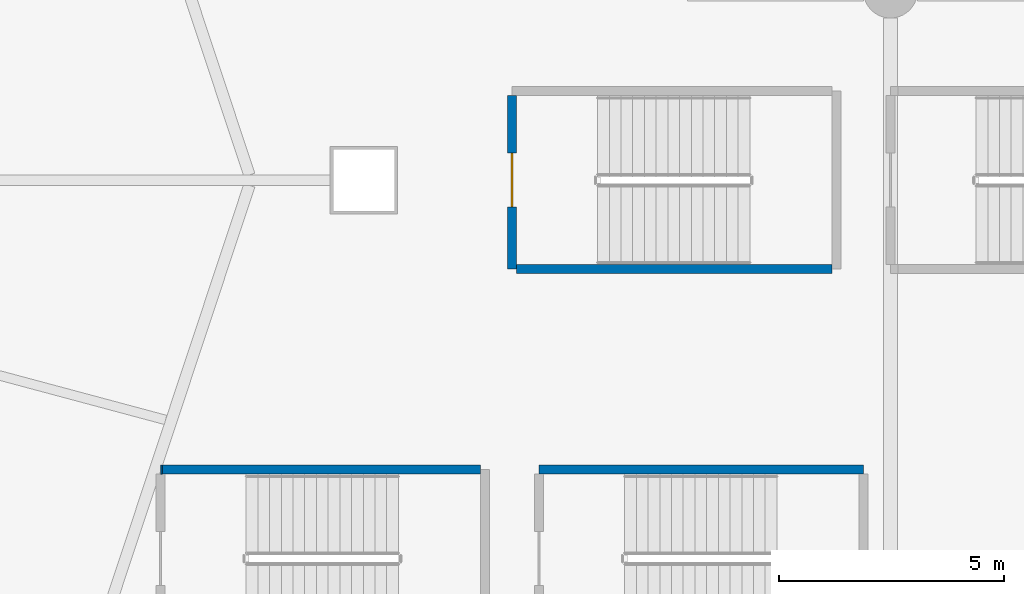
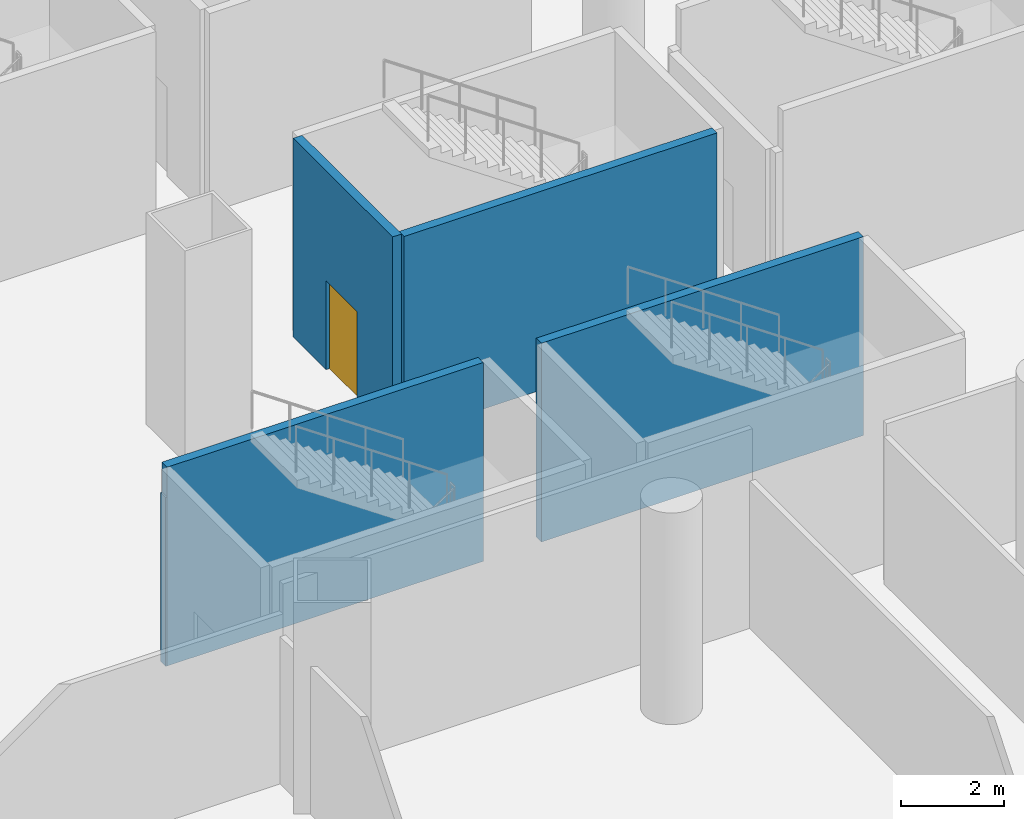
# One storey, part 36 of 51: 5 walls, 1 door, 1 opening.
"""IFC4 building model written with IfcOpenShell, lengths in metres."""

from ifc_helpers import new_model, si_unit, direction, frame, frame_2d, origin, place, context, subcontext, project, spatial, rectangle, extrude, material, layer, layer_set, type_object, element, fill, save


model = new_model("IFC4")

# Units and contexts
model_context = context("Model", 3, precision=1e-05, world=origin(), true_north=direction((0.0, 1.0)))
body_context = subcontext(model_context, "Body", "Model", "MODEL_VIEW")
ifc_project = project(units=[si_unit("LENGTHUNIT", "METRE"), si_unit("AREAUNIT", "SQUARE_METRE"), si_unit("VOLUMEUNIT", "CUBIC_METRE"), si_unit("PLANEANGLEUNIT", "RADIAN"), si_unit("MASSUNIT", "GRAM", prefix="KILO")], contexts=[model_context])

# Site, building, storey
site_placement = place(None, origin())
site = spatial("IfcSite", under=ifc_project, at=site_placement, CompositionType="ELEMENT")
building_placement = place(site_placement, origin())
building = spatial("IfcBuilding", under=site, at=building_placement, Name="Rimbun Link Towers", CompositionType="ELEMENT")
storey_placement = place(building_placement, frame((0.0, 0.0, 7.0)))
storey = spatial("IfcBuildingStorey", under=building, at=storey_placement, Name="L01", CompositionType="ELEMENT", Elevation=7.0)

# Walls
ifc_material_1 = material(Name="Concrete C40/50", Category="concrete")
ifc_layer = layer(ifc_material_1, 0.199951171875)
ifc_layer_set = layer_set([ifc_layer], Name="Stair shaft wall 200")
wall_type = type_object("IfcWallType", Name="Stair shaft wall 200", PredefinedType="SOLIDWALL", material=ifc_layer_set)
wall_1_placement = place(storey_placement, frame((-4.89990234375, -6.425048828125, 0.0), z_axis=(0.0, 0.0, 1.0), x_axis=(-1.0, 0.0, 0.0)))
element("IfcWall", 1, at=wall_1_placement, inside=storey, type_object=wall_type, Name="PD/PW/L01/002", PredefinedType="SOLIDWALL", context=body_context, shape_type="SweptSolid", body=[
    extrude(rectangle(XDim=7.068359375, YDim=0.199951171875, at=frame_2d((3.5341796875, 0.0))), origin(), (0.0, 0.0, 1.0), 4.699951171875),
])
wall_2_placement = place(storey_placement, frame((-11.96826171875, -6.425048828125, 0.0), z_axis=(0.0, 0.0, 1.0), x_axis=(-1.0, 0.0, 0.0)))
element("IfcWall", 2, at=wall_2_placement, inside=storey, type_object=wall_type, Name="PD/PW/L01/002b", PredefinedType="SOLIDWALL", context=body_context, shape_type="SweptSolid", body=[
    extrude(rectangle(XDim=0.03173828125, YDim=0.199951171875, at=frame_2d((0.015869140625, 0.0))), origin(), (0.0, 0.0, 1.0), 3.99609375),
])
wall_3_placement = place(storey_placement, frame((3.60009765625, -6.425048828125, 0.0), z_axis=(0.0, 0.0, 1.0), x_axis=(-1.0, 0.0, 0.0)))
element("IfcWall", 3, at=wall_3_placement, inside=storey, type_object=wall_type, Name="PD/PW/L01/005", PredefinedType="SOLIDWALL", context=body_context, shape_type="SweptSolid", body=[
    extrude(rectangle(XDim=7.2001953125, YDim=0.199951171875, at=frame_2d((3.60009765625, 0.0))), origin(), (0.0, 0.0, 1.0), 4.699951171875),
])

# Wall, opening, door
wall_4_placement = place(storey_placement, frame((-4.199951171875, 1.875, 0.0), z_axis=(0.0, 0.0, 1.0), x_axis=(0.0, -1.0, 0.0)))
wall_4 = element("IfcWall", 4, at=wall_4_placement, inside=storey, type_object=wall_type, Name="PD/PW/L01/023", PredefinedType="SOLIDWALL", context=body_context, shape_type="SweptSolid", body=[
    extrude(rectangle(XDim=3.85009765625, YDim=0.199951171875, at=frame_2d((1.925048828125, 0.0))), origin(), (0.0, 0.0, 1.0), 4.699951171875),
])
opening_placement = place(wall_4_placement, frame((1.27490234375, 0.0, 0.0)))
opening = element("IfcOpeningElement", 5, at=opening_placement, cuts=wall_4, Name="Opening PD DS6", PredefinedType="OPENING", context=body_context, shape_type="SweptSolid", body=[
    extrude(rectangle(XDim=1.199951171875, YDim=2.10009765625, at=frame_2d((0.60009765625, 1.050048828125))), frame((0.0, 0.10986328125, 0.0), z_axis=(0.0, -1.0, 0.0), x_axis=(1.0, 0.0, 0.0)), (0.0, 0.0, 1.0), 0.219970703125),
])
ifc_material_2 = material(Name="Steel fire door set", Category="steel")
door_type = type_object("IfcDoorType", Name="Stair door", OperationType="SINGLE_SWING_LEFT", PredefinedType="DOOR", material=ifc_material_2)
door_placement = place(opening_placement, frame((1.199951171875, 0.0, 0.0), z_axis=(0.0, 0.0, 1.0), x_axis=(-1.0, 0.0, 0.0)))
door = element("IfcDoor", 6, at=door_placement, inside=storey, type_object=door_type, Name="PD/DR/L01/S6", OperationType="SINGLE_SWING_LEFT", OverallHeight=2.10009765625, OverallWidth=1.199951171875, PredefinedType="DOOR", context=body_context, shape_type="SweptSolid", body=[
    extrude(rectangle(XDim=1.199951171875, YDim=2.10009765625, at=frame_2d((0.60009765625, 1.050048828125))), frame((0.0, 0.02490234375, 0.0), z_axis=(0.0, -1.0, 0.0), x_axis=(1.0, 0.0, 0.0)), (0.0, 0.0, 1.0), 0.050048828125),
])
fill(opening, door)

# Wall
wall_5_placement = place(storey_placement, frame((-4.10009765625, -1.97509765625, 0.0), z_axis=(0.0, 0.0, 1.0), x_axis=(1.0, 0.0, 0.0)))
element("IfcWall", 7, at=wall_5_placement, inside=storey, type_object=wall_type, Name="PD/PW/L01/024", PredefinedType="SOLIDWALL", context=body_context, shape_type="SweptSolid", body=[
    extrude(rectangle(XDim=7.0, YDim=0.199951171875, at=frame_2d((3.5, 0.0))), origin(), (0.0, 0.0, 1.0), 4.699951171875),
])

save(model, "model.ifc")
